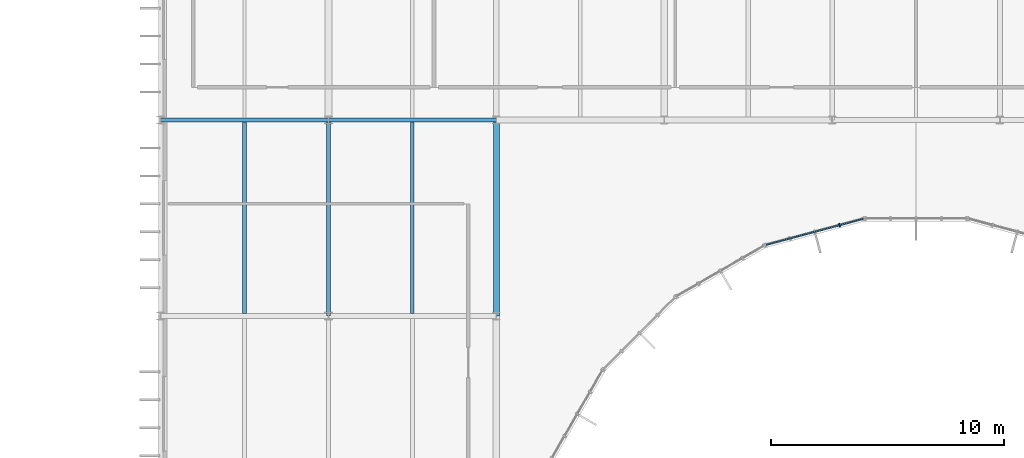
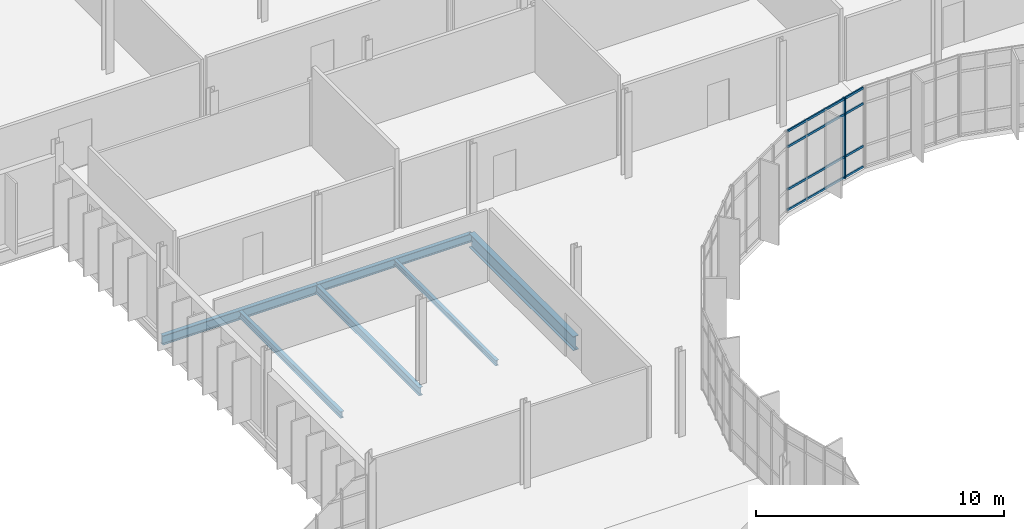
# One storey, part 54 of 119: 6 beams, 5 members, 1 element without a shape of its own.
"""IFC4 building model written with IfcOpenShell, lengths in metres."""

from ifc_helpers import new_model, si_unit, direction, frame, origin, origin_2d, place, context, subcontext, project, spatial, rectangle, i_section, extrude, material, material_profile, profile_set, type_object, element, aggregate, save


model = new_model("IFC4")

# Units and contexts
model_context = context("Model", 3, precision=1e-05, world=origin(), true_north=direction((0.0, 1.0)))
body_context = subcontext(model_context, "Body", "Model", "MODEL_VIEW")
ifc_project = project(units=[si_unit("LENGTHUNIT", "METRE"), si_unit("AREAUNIT", "SQUARE_METRE"), si_unit("VOLUMEUNIT", "CUBIC_METRE"), si_unit("PLANEANGLEUNIT", "RADIAN"), si_unit("MASSUNIT", "GRAM", prefix="KILO")], contexts=[model_context])

# Site, building, storey
site_placement = place(None, origin())
site = spatial("IfcSite", under=ifc_project, at=site_placement, CompositionType="ELEMENT")
building_placement = place(site_placement, origin())
building = spatial("IfcBuilding", under=site, at=building_placement, Name="Qelthora Terrace Specialist Clinic", CompositionType="ELEMENT")
storey_placement = place(building_placement, frame((0.0, 0.0, 4.800048828125)))
storey = spatial("IfcBuildingStorey", under=building, at=storey_placement, Name="L01", CompositionType="ELEMENT", Elevation=4.800048828125)

# Beams
ifc_material_1 = material(Name="Steel S355", Category="steel")
ifc_material_profile_1 = material_profile(ifc_material_1, i_section(OverallWidth=0.178955078125, OverallDepth=0.409912109375, WebThickness=0.0087890625, FlangeThickness=0.014404296875, FilletRadius=0.011962890625, at=origin_2d()), Name="W410X67")
ifc_profile_set_1 = profile_set([ifc_material_profile_1], Name="Steel S355")
beam_type_1 = type_object("IfcBeamType", Name="BM-W410X67", PredefinedType="BEAM", material=ifc_profile_set_1)
beam_1_placement = place(storey_placement, frame((100.800048828125, 84.0, -0.455078125), z_axis=(1.0, 0.0, 0.0), x_axis=(0.0, 1.0, 0.0)))
element("IfcBeam", 1, at=beam_1_placement, inside=storey, type_object=beam_type_1, Name="Girder BMX-L01-0280", PredefinedType="BEAM", context=body_context, shape_type="SweptSolid", body=[
    extrude(i_section(OverallWidth=0.178955078125, OverallDepth=0.409912109375, WebThickness=0.0087890625, FlangeThickness=0.014404296875, FilletRadius=0.011962890625, at=origin_2d()), origin(), (0.0, 0.0, 1.0), 7.199951171875),
])
beam_2_placement = place(storey_placement, frame((100.800048828125, 75.60009765625, -0.455078125), z_axis=(0.0, 1.0, 0.0), x_axis=(-1.0, 0.0, 0.0)))
element("IfcBeam", 2, at=beam_2_placement, inside=storey, type_object=beam_type_1, Name="Girder BMY-L01-0470", PredefinedType="BEAM", context=body_context, shape_type="SweptSolid", body=[
    extrude(i_section(OverallWidth=0.178955078125, OverallDepth=0.409912109375, WebThickness=0.0087890625, FlangeThickness=0.014404296875, FilletRadius=0.011962890625, at=origin_2d()), origin(), (0.0, 0.0, 1.0), 8.39990234375),
])
ifc_material_profile_2 = material_profile(ifc_material_1, i_section(OverallWidth=0.19091796875, OverallDepth=0.4599609375, WebThickness=0.010009765625, FlangeThickness=0.01611328125, FilletRadius=0.012939453125, at=origin_2d()), Name="W460X82")
ifc_profile_set_2 = profile_set([ifc_material_profile_2], Name="Steel S355")
beam_type_2 = type_object("IfcBeamType", Name="BM-W460X82", PredefinedType="BEAM", material=ifc_profile_set_2)
beam_3_placement = place(storey_placement, frame((93.60009765625, 84.0, -0.47998046875), z_axis=(1.0, 0.0, 0.0), x_axis=(0.0, 1.0, 0.0)))
element("IfcBeam", 3, at=beam_3_placement, inside=storey, type_object=beam_type_2, Name="Girder BMX-L01-0279", PredefinedType="BEAM", context=body_context, shape_type="SweptSolid", body=[
    extrude(i_section(OverallWidth=0.19091796875, OverallDepth=0.4599609375, WebThickness=0.010009765625, FlangeThickness=0.01611328125, FilletRadius=0.012939453125, at=origin_2d()), origin(), (0.0, 0.0, 1.0), 7.199951171875),
])
ifc_material_profile_3 = material_profile(ifc_material_1, i_section(OverallWidth=0.256103515625, OverallDepth=0.693115234375, WebThickness=0.014404296875, FlangeThickness=0.023681640625, FilletRadius=0.01806640625, at=origin_2d()), Name="W690X170")
ifc_profile_set_3 = profile_set([ifc_material_profile_3], Name="Steel S355")
beam_type_3 = type_object("IfcBeamType", Name="BM-W690X170", PredefinedType="BEAM", material=ifc_profile_set_3)
beam_4_placement = place(storey_placement, frame((108.0, 75.60009765625, -0.596435546875), z_axis=(0.0, 1.0, 0.0), x_axis=(-1.0, 0.0, 0.0)))
element("IfcBeam", 4, at=beam_4_placement, inside=storey, type_object=beam_type_3, Name="Girder BMY-L01-0483", PredefinedType="BEAM", context=body_context, shape_type="SweptSolid", body=[
    extrude(i_section(OverallWidth=0.256103515625, OverallDepth=0.693115234375, WebThickness=0.014404296875, FlangeThickness=0.023681640625, FilletRadius=0.01806640625, at=origin_2d()), origin(), (0.0, 0.0, 1.0), 8.39990234375),
])

# Curtain wall, members
ifc_material_2 = material(Name="Aluminium anodized bronze", Category="aluminium")
curtain_wall_type = type_object("IfcCurtainWallType", Name="CW-CRTE-UPP", PredefinedType="NOTDEFINED", material=ifc_material_2)
curtain_wall_placement = place(storey_placement, origin())
curtain_wall = element("IfcCurtainWall", 5, at=curtain_wall_placement, inside=storey, type_object=curtain_wall_type, Name="Curtain wall CW-CE-L01-07", PredefinedType="NOTDEFINED")
ifc_material_profile_4 = material_profile(ifc_material_2, rectangle(XDim=0.06005859375, YDim=0.14990234375, at=origin_2d()), Name="CWM60X150")
ifc_profile_set_4 = profile_set([ifc_material_profile_4], Name="Aluminium anodized bronze")
member_type_1 = type_object("IfcMemberType", Name="CWM-60X150", PredefinedType="MULLION", material=ifc_profile_set_4)
member_1_placement = place(storey_placement, frame((122.717041015625, 79.488525390625, 0.0), z_axis=(0.0, 0.0, 1.0), x_axis=(-0.965925660235, -0.258819664824, 0.0)))
member_1 = element("IfcMember", 6, at=member_1_placement, type_object=member_type_1, Name="CW-CE-L01-07 mullion 2", PredefinedType="MULLION", context=body_context, shape_type="SweptSolid", body=[
    extrude(rectangle(XDim=0.06005859375, YDim=0.14990234375, at=origin_2d()), origin(), (0.0, 0.0, 1.0), 3.945068359375),
])
ifc_material_profile_5 = material_profile(ifc_material_2, rectangle(XDim=0.06005859375, YDim=0.110107421875, at=origin_2d()), Name="CWT60X110")
ifc_profile_set_5 = profile_set([ifc_material_profile_5], Name="Aluminium anodized bronze")
member_type_2 = type_object("IfcMemberType", Name="CWT-60X110", PredefinedType="USERDEFINED", material=ifc_profile_set_5)
member_2_placement = place(storey_placement, frame((123.737548828125, 79.76171875, 0.0400390625), z_axis=(-0.965933119212, -0.25879182601, 0.0), x_axis=(0.25879182601, -0.965933119212, 0.0)))
member_2 = element("IfcMember", 7, at=member_2_placement, type_object=member_type_2, Name="CW-CE-L01-07 transom 1", ObjectType="TRANSOM", PredefinedType="USERDEFINED", context=body_context, shape_type="SweptSolid", body=[
    extrude(rectangle(XDim=0.06005859375, YDim=0.110107421875, at=origin_2d()), origin(), (0.0, 0.0, 1.0), 4.3056640625),
])
member_3_placement = place(storey_placement, frame((123.737548828125, 79.76171875, 1.050048828125), z_axis=(-0.965933119212, -0.25879182601, 0.0), x_axis=(0.25879182601, -0.965933119212, 0.0)))
member_3 = element("IfcMember", 8, at=member_3_placement, type_object=member_type_2, Name="CW-CE-L01-07 transom 2", ObjectType="TRANSOM", PredefinedType="USERDEFINED", context=body_context, shape_type="SweptSolid", body=[
    extrude(rectangle(XDim=0.06005859375, YDim=0.110107421875, at=origin_2d()), origin(), (0.0, 0.0, 1.0), 4.3056640625),
])
member_4_placement = place(storey_placement, frame((123.737548828125, 79.76171875, 3.14501953125), z_axis=(-0.965933119212, -0.25879182601, 0.0), x_axis=(0.25879182601, -0.965933119212, 0.0)))
member_4 = element("IfcMember", 9, at=member_4_placement, type_object=member_type_2, Name="CW-CE-L01-07 transom 3", ObjectType="TRANSOM", PredefinedType="USERDEFINED", context=body_context, shape_type="SweptSolid", body=[
    extrude(rectangle(XDim=0.06005859375, YDim=0.110107421875, at=origin_2d()), origin(), (0.0, 0.0, 1.0), 4.3056640625),
])
member_5_placement = place(storey_placement, frame((123.737548828125, 79.76171875, 3.905029296875), z_axis=(-0.965933119212, -0.25879182601, 0.0), x_axis=(0.25879182601, -0.965933119212, 0.0)))
member_5 = element("IfcMember", 10, at=member_5_placement, type_object=member_type_2, Name="CW-CE-L01-07 transom 4", ObjectType="TRANSOM", PredefinedType="USERDEFINED", context=body_context, shape_type="SweptSolid", body=[
    extrude(rectangle(XDim=0.06005859375, YDim=0.110107421875, at=origin_2d()), origin(), (0.0, 0.0, 1.0), 4.3056640625),
])
aggregate(curtain_wall, [member_1, member_2, member_3, member_4, member_5])

# Beams
ifc_material_profile_6 = material_profile(ifc_material_1, i_section(OverallWidth=0.14697265625, OverallDepth=0.261962890625, WebThickness=0.006591796875, FlangeThickness=0.01123046875, FilletRadius=0.009033203125, at=origin_2d()), Name="W250X39")
ifc_profile_set_6 = profile_set([ifc_material_profile_6], Name="Steel S355")
beam_type_4 = type_object("IfcBeamType", Name="JST-W250X39", PredefinedType="JOIST", material=ifc_profile_set_6)
beam_5_placement = place(storey_placement, frame((104.39990234375, 75.705078125, -0.381103515625), z_axis=(0.0, 1.0, 0.0), x_axis=(-1.0, 0.0, 0.0)))
element("IfcBeam", 11, at=beam_5_placement, inside=storey, type_object=beam_type_4, Name="Composite floor joist JST-L01-0119", PredefinedType="JOIST", context=body_context, shape_type="SweptSolid", body=[
    extrude(i_section(OverallWidth=0.14697265625, OverallDepth=0.261962890625, WebThickness=0.006591796875, FlangeThickness=0.01123046875, FilletRadius=0.009033203125, at=origin_2d()), origin(), (0.0, 0.0, 1.0), 8.205322265625),
])
ifc_material_profile_7 = material_profile(ifc_material_1, i_section(OverallWidth=0.166015625, OverallDepth=0.31298828125, WebThickness=0.006591796875, FlangeThickness=0.01123046875, FilletRadius=0.010009765625, at=origin_2d()), Name="W310X45")
ifc_profile_set_7 = profile_set([ifc_material_profile_7], Name="Steel S355")
beam_type_5 = type_object("IfcBeamType", Name="JST-W310X45", PredefinedType="JOIST", material=ifc_profile_set_7)
beam_6_placement = place(storey_placement, frame((97.199951171875, 75.7060546875, -0.406494140625), z_axis=(0.0, 1.0, 0.0), x_axis=(-1.0, 0.0, 0.0)))
element("IfcBeam", 12, at=beam_6_placement, inside=storey, type_object=beam_type_5, Name="Composite floor joist JST-L01-0112", PredefinedType="JOIST", context=body_context, shape_type="SweptSolid", body=[
    extrude(i_section(OverallWidth=0.166015625, OverallDepth=0.31298828125, WebThickness=0.006591796875, FlangeThickness=0.01123046875, FilletRadius=0.010009765625, at=origin_2d()), origin(), (0.0, 0.0, 1.0), 8.198486328125),
])

save(model, "model.ifc")
